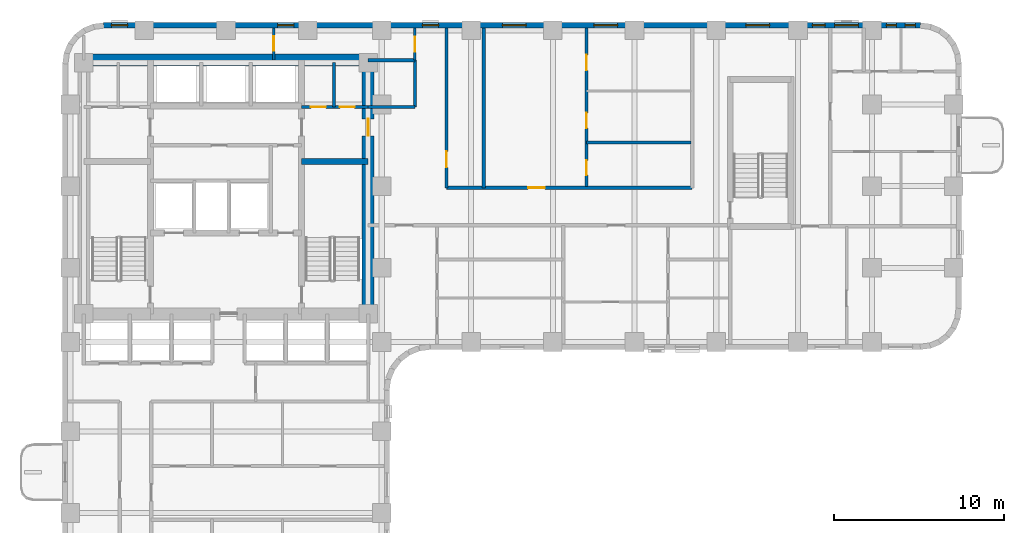
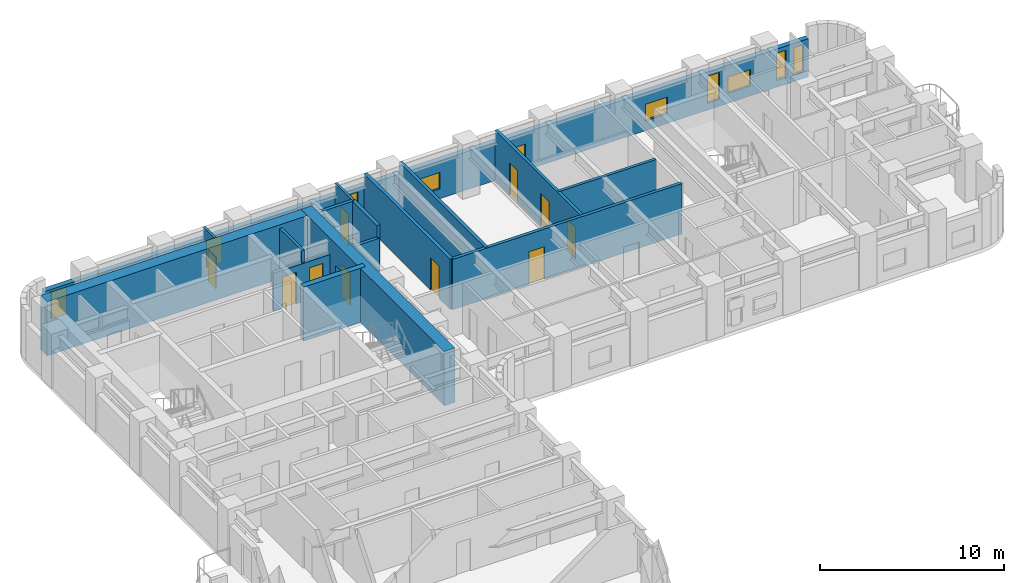
# One storey, part 6 of 10: 16 walls, 10 doors, 10 windows, 20 openings.
"""IFC4 building model written with IfcOpenShell, lengths in metres."""

import ifcopenshell
import ifcopenshell.guid

model = None  # the IFC model being written
_history = None  # IfcOwnerHistory: only IFC2X3 demands one
_inside = {}  # id of a spatial element -> (the spatial element, [elements in it])
_under = {}  # id of a project, library or spatial element -> (it, [spatial elements below it])
_declared = {}  # id of a project -> (the project, [libraries it declares])
_typed = {}  # id of a type object -> (the type object, [elements of that type])
_made_of = {}  # id of a material, layer set ... -> (it, [elements and type objects made of it])


def new_model(schema):
    """Start an empty IFC model of exactly this schema.

    Asked for "IFC4X3", IfcOpenShell would pick the latest addendum, in which some entities
    have other attributes; the version numbers below select the first issue.
    IFC2X3 requires an IfcOwnerHistory on every rooted entity: one is made here for all.
    """
    global model, _history
    if schema == "IFC4X3":
        model = ifcopenshell.file(schema_version=(4, 3, 0, 0))
    else:
        model = ifcopenshell.file(schema=schema)
    _inside.clear()
    _under.clear()
    _declared.clear()
    _typed.clear()
    _made_of.clear()
    _history = None
    if model.schema == "IFC2X3":
        org = make("IfcOrganization", Name="unknown")
        user = make(
            "IfcPersonAndOrganization",
            ThePerson=make("IfcPerson", FamilyName="unknown"),
            TheOrganization=org,
        )
        app = make(
            "IfcApplication",
            ApplicationDeveloper=org,
            Version="unknown",
            ApplicationFullName="unknown",
            ApplicationIdentifier="unknown",
        )
        _history = make(
            "IfcOwnerHistory",
            OwningUser=user,
            OwningApplication=app,
            ChangeAction="ADDED",
            CreationDate=0,
        )
    return model


def make(cls, **values):
    """One entity of the class cls with the attributes given. An attribute that is None is left unset."""
    return model.create_entity(
        cls, **{name: value for name, value in values.items() if value is not None}
    )


def rooted(cls, **values):
    """An entity with a GlobalId (a new one), such as an element, a storey or a relation."""
    return make(cls, GlobalId=ifcopenshell.guid.new(), OwnerHistory=_history, **values)


def si_unit(unit_type, name, prefix=None):
    """IfcSIUnit, for example si_unit("LENGTHUNIT", "METRE", prefix="MILLI")."""
    return make("IfcSIUnit", UnitType=unit_type, Prefix=prefix, Name=name)


def assignment(units):
    """IfcUnitAssignment: the units of a project."""
    return None if units is None else make("IfcUnitAssignment", Units=units)


def point(xyz):
    """IfcCartesianPoint."""
    return None if xyz is None else make("IfcCartesianPoint", Coordinates=xyz)


def direction(xyz):
    """IfcDirection."""
    return None if xyz is None else make("IfcDirection", DirectionRatios=xyz)


def frame(location, z_axis=None, x_axis=None):
    """IfcAxis2Placement3D, a coordinate frame: its origin and axes. An axis left out is left unset."""
    return make(
        "IfcAxis2Placement3D",
        Location=point(location),
        Axis=direction(z_axis),
        RefDirection=direction(x_axis),
    )


def frame_2d(location, x_axis=None):
    """IfcAxis2Placement2D, a coordinate frame in the plane: its origin and x axis."""
    return make(
        "IfcAxis2Placement2D", Location=point(location), RefDirection=direction(x_axis)
    )


def origin():
    """The frame at (0, 0, 0) with its axes left unset."""
    return frame((0.0, 0.0, 0.0))


def place(relative_to, where):
    """IfcLocalPlacement: puts the frame where relative to a parent placement (None: the world)."""
    return make(
        "IfcLocalPlacement", PlacementRelTo=relative_to, RelativePlacement=where
    )


def context(
    kind, dimensions, precision=None, world=None, true_north=None, identifier=None
):
    """IfcGeometricRepresentationContext, for example the 3D "Model" context."""
    return make(
        "IfcGeometricRepresentationContext",
        ContextIdentifier=identifier,
        ContextType=kind,
        CoordinateSpaceDimension=dimensions,
        Precision=precision,
        WorldCoordinateSystem=world,
        TrueNorth=true_north,
    )


def subcontext(parent, identifier, kind, view, scale=None):
    """IfcGeometricRepresentationSubContext, for example "Body" below "Model"."""
    return make(
        "IfcGeometricRepresentationSubContext",
        ContextIdentifier=identifier,
        ContextType=kind,
        ParentContext=parent,
        TargetScale=scale,
        TargetView=view,
    )


def project(units=None, contexts=None):
    """IfcProject with its units and contexts."""
    return rooted(
        "IfcProject",
        Name="project",
        RepresentationContexts=contexts,
        UnitsInContext=assignment(units),
    )


def spatial(cls, under=None, at=None, **own):
    """A site, building, storey or space (cls), placed at a placement, below another one or the project."""
    s = rooted(cls, ObjectPlacement=at, **own)
    if under is not None:
        _under.setdefault(under.id(), (under, []))[1].append(s)
    return s


def profile(cls, at=None, kind="AREA", **sizes):
    """A parametric profile (cls). Its sizes go by their IFC names, for example OverallWidth=200.0."""
    return make(cls, ProfileType=kind, Position=at, **sizes)


def rectangle(**sizes):
    """IfcRectangleProfileDef."""
    return profile("IfcRectangleProfileDef", **sizes)


def extrude(swept, where, along, depth):
    """IfcExtrudedAreaSolid: the profile swept, set in the frame where, extruded along a direction by depth."""
    return make(
        "IfcExtrudedAreaSolid",
        SweptArea=swept,
        Position=where,
        ExtrudedDirection=direction(along),
        Depth=depth,
    )


def shape(context_of_items, identifier, shape_type, items):
    """IfcShapeRepresentation: the items that make up one representation, for example the "Body"."""
    return make(
        "IfcShapeRepresentation",
        ContextOfItems=context_of_items,
        RepresentationIdentifier=identifier,
        RepresentationType=shape_type,
        Items=items,
    )


def material(Name=None, Category=None):
    """IfcMaterial."""
    return make("IfcMaterial", Name=Name, Category=Category)


def layer(
    of_material, thickness, ventilated=None, Name=None, Category=None, Priority=None
):
    """IfcMaterialLayer: one layer of a wall or slab, of a material (None: an air gap)."""
    return make(
        "IfcMaterialLayer",
        Material=of_material,
        LayerThickness=thickness,
        IsVentilated=ventilated,
        Name=Name,
        Category=Category,
        Priority=Priority,
    )


def layer_set(layers, Name=None):
    """IfcMaterialLayerSet."""
    return make("IfcMaterialLayerSet", MaterialLayers=layers, LayerSetName=Name)


def made_of(thing, what):
    """Note that an element or type object is made of a material, layer set ...; save() writes the relation."""
    if what is not None:
        _made_of.setdefault(what.id(), (what, []))[1].append(thing)
    return thing


def type_object(cls, material=None, **own):
    """A type object (cls), such as IfcWallType, which elements share."""
    return made_of(rooted(cls, **own), material)


def element(
    cls,
    number,
    at=None,
    inside=None,
    cuts=None,
    type_object=None,
    material=None,
    context=None,
    identifier="Body",
    shape_type=None,
    held_by="IfcProductDefinitionShape",
    body=None,
    shapes=None,
    **own,
):
    """One element of the class cls, such as IfcWall. Its Tag is "e" and its number.

    at: its placement. inside: the storey or other place that contains it. cuts: it is an
    opening in that element (IfcRelVoidsElement). A single representation is given by context,
    identifier, shape_type and body (its items); several are given by shapes. held_by: the class
    of the entity that holds the representations. save() writes the other relations.
    """
    e = rooted(cls, Tag="e%d" % number, ObjectPlacement=at, **own)
    if body is not None:
        shapes = [shape(context, identifier, shape_type, body)]
    if shapes is not None:
        e.Representation = make(held_by, Representations=shapes)
    if inside is not None:
        _inside.setdefault(inside.id(), (inside, []))[1].append(e)
    if cuts is not None:
        rooted(
            "IfcRelVoidsElement", RelatingBuildingElement=cuts, RelatedOpeningElement=e
        )
    if type_object is not None:
        _typed.setdefault(type_object.id(), (type_object, []))[1].append(e)
    return made_of(e, material)


def fill(opening, filler):
    """IfcRelFillsElement: the door or window that sits in an opening."""
    return rooted(
        "IfcRelFillsElement",
        RelatingOpeningElement=opening,
        RelatedBuildingElement=filler,
    )


def aggregate(whole, parts):
    """IfcRelAggregates: a whole, such as a stair, and the parts it consists of."""
    return rooted("IfcRelAggregates", RelatingObject=whole, RelatedObjects=parts)


def save(model, path):
    """Write the relations noted so far, then the file.

    IfcRelAggregates (storeys below a building ...), IfcRelContainedInSpatialStructure (elements
    in a storey), IfcRelDefinesByType, IfcRelAssociatesMaterial and IfcRelDeclares: one each for
    every whole, place, type object, material and project.
    """
    for whole, parts in _under.values():
        aggregate(whole, parts)
    for where, things in _inside.values():
        rooted(
            "IfcRelContainedInSpatialStructure",
            RelatedElements=things,
            RelatingStructure=where,
        )
    for kind, things in _typed.values():
        rooted("IfcRelDefinesByType", RelatedObjects=things, RelatingType=kind)
    for what, things in _made_of.values():
        rooted("IfcRelAssociatesMaterial", RelatedObjects=things, RelatingMaterial=what)
    for by, libraries in _declared.values():
        rooted("IfcRelDeclares", RelatingContext=by, RelatedDefinitions=libraries)
    model.write(path)


model = new_model("IFC4")

# Units and contexts
model_context = context("Model", 3, precision=1e-05, world=origin(), true_north=direction((0.0, 1.0)))
body_context = subcontext(model_context, "Body", "Model", "MODEL_VIEW")
ifc_project = project(units=[si_unit("LENGTHUNIT", "METRE"), si_unit("AREAUNIT", "SQUARE_METRE"), si_unit("VOLUMEUNIT", "CUBIC_METRE"), si_unit("PLANEANGLEUNIT", "RADIAN"), si_unit("MASSUNIT", "GRAM", prefix="KILO")], contexts=[model_context])

# Site, building, storey
site_placement = place(None, origin())
site = spatial("IfcSite", under=ifc_project, at=site_placement, CompositionType="ELEMENT")
building_placement = place(site_placement, origin())
building = spatial("IfcBuilding", under=site, at=building_placement, Name="Orvandelia Arch Residences", CompositionType="ELEMENT")
storey_placement = place(building_placement, frame((0.0, 0.0, 75.39990234375)))
storey = spatial("IfcBuildingStorey", under=building, at=storey_placement, Name="L19", CompositionType="ELEMENT", Elevation=75.39990234375)

# Wall
ifc_material_1 = material(Name="Concrete C50/60", Category="concrete")
ifc_layer_1 = layer(ifc_material_1, 0.35009765625, Name="Concrete C50/60", Category="concrete")
ifc_layer_set_1 = layer_set([ifc_layer_1], Name="Concrete C50/60")
wall_type_1 = type_object("IfcWallType", Name="WL-CORE-350", PredefinedType="SHEAR", material=ifc_layer_set_1)
wall_1_placement = place(storey_placement, frame((18.840087890625, 39.85009765625, 0.0), z_axis=(0.0, 0.0, 1.0), x_axis=(1.0, 0.0, 0.0)))
element("IfcWall", 1, at=wall_1_placement, inside=storey, type_object=wall_type_1, Name="Core Shear Wall L19-HZ2", PredefinedType="SHEAR", context=body_context, shape_type="SweptSolid", body=[
    extrude(rectangle(XDim=3.909912109375, YDim=0.35009765625, at=frame_2d((1.955078125, 0.0))), origin(), (0.0, 0.0, 1.0), 3.60009765625),
])

# Wall, opening, door
ifc_material_2 = material(Name="Concrete C80/95", Category="concrete")
ifc_layer_2 = layer(ifc_material_2, 0.699951171875, Name="Concrete C80/95", Category="concrete")
ifc_layer_set_2 = layer_set([ifc_layer_2], Name="Concrete C80/95")
wall_type_2 = type_object("IfcWallType", Name="WL-CORE-700", PredefinedType="SHEAR", material=ifc_layer_set_2)
wall_2_placement = place(storey_placement, frame((22.75, 30.550048828125, 0.0), z_axis=(0.0, 0.0, 1.0), x_axis=(0.0, 1.0, 0.0)))
wall_2 = element("IfcWall", 2, at=wall_2_placement, inside=storey, type_object=wall_type_2, Name="Core Shear Wall L19-E", PredefinedType="SHEAR", context=body_context, shape_type="SweptSolid", body=[
    extrude(rectangle(XDim=15.599853515625, YDim=0.699951171875, at=frame_2d((7.7998046875, 0.0))), origin(), (0.0, 0.0, 1.0), 3.60009765625),
])
opening_1_placement = place(wall_2_placement, frame((10.800048828125, 0.0, 0.0)))
opening_1 = element("IfcOpeningElement", 3, at=opening_1_placement, cuts=wall_2, Name="Opening D6", PredefinedType="OPENING", context=body_context, shape_type="SweptSolid", body=[
    extrude(rectangle(XDim=1.0, YDim=2.14990234375, at=frame_2d((0.5, 1.074951171875))), frame((0.0, 0.35986328125, 0.0), z_axis=(0.0, -1.0, 0.0), x_axis=(1.0, 0.0, 0.0)), (0.0, 0.0, 1.0), 0.719970703125),
])
ifc_material_3 = material(Name="Smokeproof Painted Steel Fire Door", Category="steel")
door_type_1 = type_object("IfcDoorType", Name="DR-FD60-1000", OperationType="NOTDEFINED", PredefinedType="DOOR", material=ifc_material_3)
door_1_placement = place(opening_1_placement, origin())
door_1 = element("IfcDoor", 4, at=door_1_placement, inside=storey, type_object=door_type_1, Name="Core East Corridor Link Door L19", OperationType="SINGLE_SWING_LEFT", OverallHeight=2.14990234375, OverallWidth=1.0, PredefinedType="DOOR", context=body_context, shape_type="SweptSolid", body=[
    extrude(rectangle(XDim=1.0, YDim=2.14990234375, at=frame_2d((0.5, 1.074951171875))), frame((0.0, 0.02490234375, 0.0), z_axis=(0.0, -1.0, 0.0), x_axis=(1.0, 0.0, 0.0)), (0.0, 0.0, 1.0), 0.050048828125),
])
fill(opening_1, door_1)

# Walls
wall_3_placement = place(storey_placement, frame((6.050048828125, 45.800048828125, 0.0), z_axis=(0.0, 0.0, 1.0), x_axis=(1.0, 0.0, 0.0)))
element("IfcWall", 5, at=wall_3_placement, inside=storey, type_object=wall_type_2, Name="Core Shear Wall L19-N", PredefinedType="SHEAR", context=body_context, shape_type="SweptSolid", body=[
    extrude(rectangle(XDim=16.699951171875, YDim=0.699951171875, at=frame_2d((8.35009765625, 0.0))), origin(), (0.0, 0.0, 1.0), 3.60009765625),
])
ifc_material_4 = material(Name="Fire-Rated Corridor Partition")
ifc_layer_3 = layer(ifc_material_4, 0.199951171875, Name="Fire-Rated Corridor Partition")
ifc_layer_set_3 = layer_set([ifc_layer_3], Name="Fire-Rated Corridor Partition")
wall_type_3 = type_object("IfcWallType", Name="WL-CORR-200", PredefinedType="PARTITIONING", material=ifc_layer_set_3)
wall_4_placement = place(storey_placement, frame((22.75, 45.800048828125, 0.0), z_axis=(0.0, 0.0, 1.0), x_axis=(1.0, 0.0, 0.0)))
element("IfcWall", 6, at=wall_4_placement, inside=storey, type_object=wall_type_3, Name="Interior Partition Wall WL-L19-NCE-S", PredefinedType="PARTITIONING", context=body_context, shape_type="SweptSolid", body=[
    extrude(rectangle(XDim=2.75, YDim=0.199951171875, at=frame_2d((1.375, 0.0))), origin(), (0.0, 0.0, 1.0), 3.35009765625),
])

# Wall, opening, door
wall_5_placement = place(storey_placement, frame((27.35009765625, 38.300048828125, 0.0), z_axis=(0.0, 0.0, 1.0), x_axis=(1.0, 0.0, 0.0)))
wall_5 = element("IfcWall", 7, at=wall_5_placement, inside=storey, type_object=wall_type_3, Name="Interior Partition Wall WL-L19-EM-N", PredefinedType="PARTITIONING", context=body_context, shape_type="SweptSolid", body=[
    extrude(rectangle(XDim=14.429931640625, YDim=0.199951171875, at=frame_2d((7.21484375, 0.0))), origin(), (0.0, 0.0, 1.0), 3.35009765625),
])
opening_2_placement = place(wall_5_placement, frame((4.803466796875, 0.0, 0.0)))
opening_2 = element("IfcOpeningElement", 8, at=opening_2_placement, cuts=wall_5, Name="Opening D1", PredefinedType="OPENING", context=body_context, shape_type="SweptSolid", body=[
    extrude(rectangle(XDim=0.97998046875, YDim=2.179931640625, at=frame_2d((0.489990234375, 1.08984375))), frame((0.0, 0.10986328125, 0.0), z_axis=(0.0, -1.0, 0.0), x_axis=(1.0, 0.0, 0.0)), (0.0, 0.0, 1.0), 0.219970703125),
])
ifc_material_5 = material(Name="Solid-Core Timber Acoustic Fire Door", Category="wood")
door_type_2 = type_object("IfcDoorType", Name="DR-ENT-980", OperationType="NOTDEFINED", PredefinedType="DOOR", material=ifc_material_5)
door_2_placement = place(opening_2_placement, origin())
door_2 = element("IfcDoor", 9, at=door_2_placement, inside=storey, type_object=door_type_2, Name="Unit L19-06 Entrance Door", OperationType="SINGLE_SWING_RIGHT", OverallHeight=2.179931640625, OverallWidth=0.97998046875, PredefinedType="DOOR", context=body_context, shape_type="SweptSolid", body=[
    extrude(rectangle(XDim=0.97998046875, YDim=2.179931640625, at=frame_2d((0.489990234375, 1.08984375))), frame((0.0, 0.02490234375, 0.0), z_axis=(0.0, -1.0, 0.0), x_axis=(1.0, 0.0, 0.0)), (0.0, 0.0, 1.0), 0.050048828125),
])
fill(opening_2, door_2)

wall_6_placement = place(storey_placement, frame((27.35009765625, 38.300048828125, 0.0), z_axis=(0.0, 0.0, 1.0), x_axis=(0.0, 1.0, 0.0)))
wall_6 = element("IfcWall", 10, at=wall_6_placement, inside=storey, type_object=wall_type_3, Name="Interior Partition Wall WL-L19-EM-NCE", PredefinedType="PARTITIONING", context=body_context, shape_type="SweptSolid", body=[
    extrude(rectangle(XDim=9.3798828125, YDim=0.199951171875, at=frame_2d((4.68994140625, 0.0))), origin(), (0.0, 0.0, 1.0), 3.35009765625),
])
opening_3_placement = place(wall_6_placement, frame((1.199951171875, 0.0, 0.0)))
opening_3 = element("IfcOpeningElement", 11, at=opening_3_placement, cuts=wall_6, Name="Opening D2", PredefinedType="OPENING", context=body_context, shape_type="SweptSolid", body=[
    extrude(rectangle(XDim=0.949951171875, YDim=2.14990234375, at=frame_2d((0.47509765625, 1.074951171875))), frame((0.0, 0.10986328125, 0.0), z_axis=(0.0, -1.0, 0.0), x_axis=(1.0, 0.0, 0.0)), (0.0, 0.0, 1.0), 0.219970703125),
])
ifc_material_6 = material(Name="Solid-Core Timber Interior Fire Door", Category="wood")
door_type_3 = type_object("IfcDoorType", Name="DR-APT-950", OperationType="NOTDEFINED", PredefinedType="DOOR", material=ifc_material_6)
door_3_placement = place(opening_3_placement, origin())
door_3 = element("IfcDoor", 12, at=door_3_placement, inside=storey, type_object=door_type_3, Name="DR-L19-LDY", OperationType="SINGLE_SWING_RIGHT", OverallHeight=2.14990234375, OverallWidth=0.949951171875, PredefinedType="DOOR", context=body_context, shape_type="SweptSolid", body=[
    extrude(rectangle(XDim=0.949951171875, YDim=2.14990234375, at=frame_2d((0.47509765625, 1.074951171875))), frame((0.0, 0.02490234375, 0.0), z_axis=(0.0, -1.0, 0.0), x_axis=(1.0, 0.0, 0.0)), (0.0, 0.0, 1.0), 0.050048828125),
])
fill(opening_3, door_3)

# Walls
wall_7_placement = place(storey_placement, frame((22.75, 43.050048828125, 0.0), z_axis=(0.0, 0.0, 1.0), x_axis=(1.0, 0.0, 0.0)))
element("IfcWall", 13, at=wall_7_placement, inside=storey, type_object=wall_type_3, Name="Interior Partition Wall WL-L19-EM-LS", PredefinedType="PARTITIONING", context=body_context, shape_type="SweptSolid", body=[
    extrude(rectangle(XDim=2.75, YDim=0.199951171875, at=frame_2d((1.375, 0.0))), origin(), (0.0, 0.0, 1.0), 2.530029296875),
])
wall_8_placement = place(storey_placement, frame((25.5, 43.050048828125, 0.0), z_axis=(0.0, 0.0, 1.0), x_axis=(0.0, 1.0, 0.0)))
element("IfcWall", 14, at=wall_8_placement, inside=storey, type_object=wall_type_3, Name="Interior Partition Wall WL-L19-EM-LW2", PredefinedType="PARTITIONING", context=body_context, shape_type="SweptSolid", body=[
    extrude(rectangle(XDim=2.75, YDim=0.199951171875, at=frame_2d((1.375, 0.0))), origin(), (0.0, 0.0, 1.0), 3.35009765625),
])
ifc_material_7 = material(Name="Concrete C40/50", Category="concrete")
ifc_layer_4 = layer(ifc_material_7, 0.199951171875, Name="Concrete C40/50", Category="concrete")
ifc_layer_set_4 = layer_set([ifc_layer_4], Name="Concrete C40/50")
wall_type_4 = type_object("IfcWallType", Name="WL-DEM-200", PredefinedType="SOLIDWALL", material=ifc_layer_set_4)
wall_9_placement = place(storey_placement, frame((29.550048828125, 38.300048828125, 0.0), z_axis=(0.0, 0.0, 1.0), x_axis=(0.0, 1.0, 0.0)))
element("IfcWall", 15, at=wall_9_placement, inside=storey, type_object=wall_type_4, Name="Interior Partition Wall WL-L19-EM-LDE", PredefinedType="SOLIDWALL", context=body_context, shape_type="SweptSolid", body=[
    extrude(rectangle(XDim=9.3798828125, YDim=0.199951171875, at=frame_2d((4.68994140625, 0.0))), origin(), (0.0, 0.0, 1.0), 3.35009765625),
])

# Wall, openings, windows
ifc_material_8 = material(Name="Precast concrete C40/50", Category="concrete")
ifc_layer_5 = layer(ifc_material_8, 0.320068359375, Name="Precast concrete C40/50", Category="concrete")
ifc_layer_set_5 = layer_set([ifc_layer_5], Name="Precast concrete C40/50")
wall_type_5 = type_object("IfcWallType", Name="WL-EXT-STONE-320", PredefinedType="STANDARD", material=ifc_layer_set_5)
wall_10_placement = place(storey_placement, frame((7.199951171875, 47.840087890625, 0.0), z_axis=(0.0, 0.0, 1.0), x_axis=(1.0, 0.0, 0.0)))
wall_10 = element("IfcWall", 16, at=wall_10_placement, inside=storey, type_object=wall_type_5, Name="Coral-Limestone Precast Facade Wall L19-007", PredefinedType="STANDARD", context=body_context, shape_type="SweptSolid", body=[
    extrude(rectangle(XDim=48.0, YDim=0.320068359375, at=frame_2d((24.0, 0.0))), origin(), (0.0, 0.0, 1.0), 2.530029296875),
])
opening_4_placement = place(wall_10_placement, frame((28.803466796875, 0.0, 0.64990234375)))
opening_4 = element("IfcOpeningElement", 17, at=opening_4_placement, cuts=wall_10, Name="Opening W10", PredefinedType="OPENING", context=body_context, shape_type="SweptSolid", body=[
    extrude(rectangle(XDim=1.39990234375, YDim=1.10009765625, at=frame_2d((0.699951171875, 0.550048828125))), frame((0.0, 0.169921875, 0.0), z_axis=(0.0, -1.0, 0.0), x_axis=(1.0, 0.0, 0.0)), (0.0, 0.0, 1.0), 0.340087890625),
])
opening_5_placement = place(wall_10_placement, frame((47.093994140625, 0.0, 0.449951171875)))
opening_5 = element("IfcOpeningElement", 18, at=opening_5_placement, cuts=wall_10, Name="Opening W12", PredefinedType="OPENING", context=body_context, shape_type="SweptSolid", body=[
    extrude(rectangle(XDim=0.60009765625, YDim=1.800048828125, at=frame_2d((0.300048828125, 0.89990234375))), frame((0.0, 0.169921875, 0.0), z_axis=(0.0, -1.0, 0.0), x_axis=(1.0, 0.0, 0.0)), (0.0, 0.0, 1.0), 0.340087890625),
])
opening_6_placement = place(wall_10_placement, frame((18.739990234375, 0.0, 0.449951171875)))
opening_6 = element("IfcOpeningElement", 19, at=opening_6_placement, cuts=wall_10, Name="Opening W4", PredefinedType="OPENING", context=body_context, shape_type="SweptSolid", body=[
    extrude(rectangle(XDim=0.949951171875, YDim=1.800048828125, at=frame_2d((0.47509765625, 0.89990234375))), frame((0.0, 0.169921875, 0.0), z_axis=(0.0, -1.0, 0.0), x_axis=(1.0, 0.0, 0.0)), (0.0, 0.0, 1.0), 0.340087890625),
])
opening_7_placement = place(wall_10_placement, frame((41.64990234375, 0.0, 0.449951171875)))
opening_7 = element("IfcOpeningElement", 20, at=opening_7_placement, cuts=wall_10, Name="Opening W11", PredefinedType="OPENING", context=body_context, shape_type="SweptSolid", body=[
    extrude(rectangle(XDim=0.75, YDim=1.800048828125, at=frame_2d((0.375, 0.89990234375))), frame((0.0, 0.169921875, 0.0), z_axis=(0.0, -1.0, 0.0), x_axis=(1.0, 0.0, 0.0)), (0.0, 0.0, 1.0), 0.340087890625),
])
opening_8_placement = place(wall_10_placement, frame((37.736083984375, 0.0, 0.64990234375)))
opening_8 = element("IfcOpeningElement", 21, at=opening_8_placement, cuts=wall_10, Name="Opening W10", PredefinedType="OPENING", context=body_context, shape_type="SweptSolid", body=[
    extrude(rectangle(XDim=1.39990234375, YDim=1.10009765625, at=frame_2d((0.699951171875, 0.550048828125))), frame((0.0, 0.169921875, 0.0), z_axis=(0.0, -1.0, 0.0), x_axis=(1.0, 0.0, 0.0)), (0.0, 0.0, 1.0), 0.340087890625),
])
opening_9_placement = place(wall_10_placement, frame((0.469970703125, 0.0, 0.449951171875)))
opening_9 = element("IfcOpeningElement", 22, at=opening_9_placement, cuts=wall_10, Name="Opening W4", PredefinedType="OPENING", context=body_context, shape_type="SweptSolid", body=[
    extrude(rectangle(XDim=0.949951171875, YDim=1.800048828125, at=frame_2d((0.47509765625, 0.89990234375))), frame((0.0, 0.169921875, 0.0), z_axis=(0.0, -1.0, 0.0), x_axis=(1.0, 0.0, 0.0)), (0.0, 0.0, 1.0), 0.340087890625),
])
opening_10_placement = place(wall_10_placement, frame((10.239990234375, 0.0, 0.449951171875)))
opening_10 = element("IfcOpeningElement", 23, at=opening_10_placement, cuts=wall_10, Name="Opening W4", PredefinedType="OPENING", context=body_context, shape_type="SweptSolid", body=[
    extrude(rectangle(XDim=0.949951171875, YDim=1.800048828125, at=frame_2d((0.47509765625, 0.89990234375))), frame((0.0, 0.169921875, 0.0), z_axis=(0.0, -1.0, 0.0), x_axis=(1.0, 0.0, 0.0)), (0.0, 0.0, 1.0), 0.340087890625),
])
opening_11_placement = place(wall_10_placement, frame((23.429931640625, 0.0, 0.64990234375)))
opening_11 = element("IfcOpeningElement", 24, at=opening_11_placement, cuts=wall_10, Name="Opening W10", PredefinedType="OPENING", context=body_context, shape_type="SweptSolid", body=[
    extrude(rectangle(XDim=1.39990234375, YDim=1.10009765625, at=frame_2d((0.699951171875, 0.550048828125))), frame((0.0, 0.169921875, 0.0), z_axis=(0.0, -1.0, 0.0), x_axis=(1.0, 0.0, 0.0)), (0.0, 0.0, 1.0), 0.340087890625),
])
opening_12_placement = place(wall_10_placement, frame((42.949951171875, 0.0, 0.64990234375)))
opening_12 = element("IfcOpeningElement", 25, at=opening_12_placement, cuts=wall_10, Name="Opening W10", PredefinedType="OPENING", context=body_context, shape_type="SweptSolid", body=[
    extrude(rectangle(XDim=1.39990234375, YDim=1.10009765625, at=frame_2d((0.699951171875, 0.550048828125))), frame((0.0, 0.169921875, 0.0), z_axis=(0.0, -1.0, 0.0), x_axis=(1.0, 0.0, 0.0)), (0.0, 0.0, 1.0), 0.340087890625),
])
opening_13_placement = place(wall_10_placement, frame((45.98388671875, 0.0, 0.449951171875)))
opening_13 = element("IfcOpeningElement", 26, at=opening_13_placement, cuts=wall_10, Name="Opening W12", PredefinedType="OPENING", context=body_context, shape_type="SweptSolid", body=[
    extrude(rectangle(XDim=0.60009765625, YDim=1.800048828125, at=frame_2d((0.300048828125, 0.89990234375))), frame((0.0, 0.169921875, 0.0), z_axis=(0.0, -1.0, 0.0), x_axis=(1.0, 0.0, 0.0)), (0.0, 0.0, 1.0), 0.340087890625),
])
ifc_material_9 = material(Name="Tempered Low-E Insulated Glazing", Category="glass")
window_type_1 = type_object("IfcWindowType", Name="WIN-BED-0750x1800", PartitioningType="SINGLE_PANEL", PredefinedType="WINDOW", material=ifc_material_9)
window_1_placement = place(opening_7_placement, origin())
window_1 = element("IfcWindow", 27, at=window_1_placement, inside=storey, type_object=window_type_1, Name="Recessed Punched Window L19-004", OverallHeight=1.800048828125, OverallWidth=0.75, PartitioningType="SINGLE_PANEL", PredefinedType="WINDOW", context=body_context, shape_type="SweptSolid", body=[
    extrude(rectangle(XDim=0.75, YDim=1.800048828125, at=frame_2d((0.375, 0.89990234375))), frame((0.0, 0.030029296875, 0.0), z_axis=(0.0, -1.0, 0.0), x_axis=(1.0, 0.0, 0.0)), (0.0, 0.0, 1.0), 0.06005859375),
])
fill(opening_7, window_1)
window_type_2 = type_object("IfcWindowType", Name="WIN-CLR-1400x1100", PartitioningType="SINGLE_PANEL", PredefinedType="WINDOW", material=ifc_material_9)
window_2_placement = place(opening_4_placement, origin())
window_2 = element("IfcWindow", 28, at=window_2_placement, inside=storey, type_object=window_type_2, Name="Recessed Punched Window L19-001", OverallHeight=1.10009765625, OverallWidth=1.39990234375, PartitioningType="SINGLE_PANEL", PredefinedType="WINDOW", context=body_context, shape_type="SweptSolid", body=[
    extrude(rectangle(XDim=1.39990234375, YDim=1.10009765625, at=frame_2d((0.699951171875, 0.550048828125))), frame((0.0, 0.030029296875, 0.0), z_axis=(0.0, -1.0, 0.0), x_axis=(1.0, 0.0, 0.0)), (0.0, 0.0, 1.0), 0.06005859375),
])
fill(opening_4, window_2)
window_3_placement = place(opening_8_placement, origin())
window_3 = element("IfcWindow", 29, at=window_3_placement, inside=storey, type_object=window_type_2, Name="Recessed Punched Window L19-005", OverallHeight=1.10009765625, OverallWidth=1.39990234375, PartitioningType="SINGLE_PANEL", PredefinedType="WINDOW", context=body_context, shape_type="SweptSolid", body=[
    extrude(rectangle(XDim=1.39990234375, YDim=1.10009765625, at=frame_2d((0.699951171875, 0.550048828125))), frame((0.0, 0.030029296875, 0.0), z_axis=(0.0, -1.0, 0.0), x_axis=(1.0, 0.0, 0.0)), (0.0, 0.0, 1.0), 0.06005859375),
])
fill(opening_8, window_3)
window_4_placement = place(opening_11_placement, origin())
window_4 = element("IfcWindow", 30, at=window_4_placement, inside=storey, type_object=window_type_2, Name="Recessed Punched Window L19-008", OverallHeight=1.10009765625, OverallWidth=1.39990234375, PartitioningType="SINGLE_PANEL", PredefinedType="WINDOW", context=body_context, shape_type="SweptSolid", body=[
    extrude(rectangle(XDim=1.39990234375, YDim=1.10009765625, at=frame_2d((0.699951171875, 0.550048828125))), frame((0.0, 0.030029296875, 0.0), z_axis=(0.0, -1.0, 0.0), x_axis=(1.0, 0.0, 0.0)), (0.0, 0.0, 1.0), 0.06005859375),
])
fill(opening_11, window_4)
window_5_placement = place(opening_12_placement, origin())
window_5 = element("IfcWindow", 31, at=window_5_placement, inside=storey, type_object=window_type_2, Name="Recessed Punched Window L19-009", OverallHeight=1.10009765625, OverallWidth=1.39990234375, PartitioningType="SINGLE_PANEL", PredefinedType="WINDOW", context=body_context, shape_type="SweptSolid", body=[
    extrude(rectangle(XDim=1.39990234375, YDim=1.10009765625, at=frame_2d((0.699951171875, 0.550048828125))), frame((0.0, 0.030029296875, 0.0), z_axis=(0.0, -1.0, 0.0), x_axis=(1.0, 0.0, 0.0)), (0.0, 0.0, 1.0), 0.06005859375),
])
fill(opening_12, window_5)
window_type_3 = type_object("IfcWindowType", Name="WIN-LAN-0600x1800", PartitioningType="SINGLE_PANEL", PredefinedType="WINDOW", material=ifc_material_9)
window_6_placement = place(opening_5_placement, origin())
window_6 = element("IfcWindow", 32, at=window_6_placement, inside=storey, type_object=window_type_3, Name="Recessed Punched Window L19-002", OverallHeight=1.800048828125, OverallWidth=0.60009765625, PartitioningType="SINGLE_PANEL", PredefinedType="WINDOW", context=body_context, shape_type="SweptSolid", body=[
    extrude(rectangle(XDim=0.60009765625, YDim=1.800048828125, at=frame_2d((0.300048828125, 0.89990234375))), frame((0.0, 0.030029296875, 0.0), z_axis=(0.0, -1.0, 0.0), x_axis=(1.0, 0.0, 0.0)), (0.0, 0.0, 1.0), 0.06005859375),
])
fill(opening_5, window_6)
window_7_placement = place(opening_13_placement, origin())
window_7 = element("IfcWindow", 33, at=window_7_placement, inside=storey, type_object=window_type_3, Name="Recessed Punched Window L19-010", OverallHeight=1.800048828125, OverallWidth=0.60009765625, PartitioningType="SINGLE_PANEL", PredefinedType="WINDOW", context=body_context, shape_type="SweptSolid", body=[
    extrude(rectangle(XDim=0.60009765625, YDim=1.800048828125, at=frame_2d((0.300048828125, 0.89990234375))), frame((0.0, 0.030029296875, 0.0), z_axis=(0.0, -1.0, 0.0), x_axis=(1.0, 0.0, 0.0)), (0.0, 0.0, 1.0), 0.06005859375),
])
fill(opening_13, window_7)
window_type_4 = type_object("IfcWindowType", Name="WIN-RES-0950x1800", PartitioningType="SINGLE_PANEL", PredefinedType="WINDOW", material=ifc_material_9)
window_8_placement = place(opening_6_placement, origin())
window_8 = element("IfcWindow", 34, at=window_8_placement, inside=storey, type_object=window_type_4, Name="Recessed Punched Window L19-003", OverallHeight=1.800048828125, OverallWidth=0.949951171875, PartitioningType="SINGLE_PANEL", PredefinedType="WINDOW", context=body_context, shape_type="SweptSolid", body=[
    extrude(rectangle(XDim=0.949951171875, YDim=1.800048828125, at=frame_2d((0.47509765625, 0.89990234375))), frame((0.0, 0.030029296875, 0.0), z_axis=(0.0, -1.0, 0.0), x_axis=(1.0, 0.0, 0.0)), (0.0, 0.0, 1.0), 0.06005859375),
])
fill(opening_6, window_8)
window_9_placement = place(opening_9_placement, origin())
window_9 = element("IfcWindow", 35, at=window_9_placement, inside=storey, type_object=window_type_4, Name="Recessed Punched Window L19-006", OverallHeight=1.800048828125, OverallWidth=0.949951171875, PartitioningType="SINGLE_PANEL", PredefinedType="WINDOW", context=body_context, shape_type="SweptSolid", body=[
    extrude(rectangle(XDim=0.949951171875, YDim=1.800048828125, at=frame_2d((0.47509765625, 0.89990234375))), frame((0.0, 0.030029296875, 0.0), z_axis=(0.0, -1.0, 0.0), x_axis=(1.0, 0.0, 0.0)), (0.0, 0.0, 1.0), 0.06005859375),
])
fill(opening_9, window_9)
window_10_placement = place(opening_10_placement, origin())
window_10 = element("IfcWindow", 36, at=window_10_placement, inside=storey, type_object=window_type_4, Name="Recessed Punched Window L19-007", OverallHeight=1.800048828125, OverallWidth=0.949951171875, PartitioningType="SINGLE_PANEL", PredefinedType="WINDOW", context=body_context, shape_type="SweptSolid", body=[
    extrude(rectangle(XDim=0.949951171875, YDim=1.800048828125, at=frame_2d((0.47509765625, 0.89990234375))), frame((0.0, 0.030029296875, 0.0), z_axis=(0.0, -1.0, 0.0), x_axis=(1.0, 0.0, 0.0)), (0.0, 0.0, 1.0), 0.06005859375),
])
fill(opening_10, window_10)

# Wall, opening, door
ifc_material_10 = material(Name="Acoustic Gypsum Stud Partition")
ifc_layer_6 = layer(ifc_material_10, 0.14990234375, Name="Acoustic Gypsum Stud Partition")
ifc_layer_set_6 = layer_set([ifc_layer_6], Name="Acoustic Gypsum Stud Partition")
wall_type_6 = type_object("IfcWallType", Name="WL-PART-150", PredefinedType="PARTITIONING", material=ifc_layer_set_6)
wall_11_placement = place(storey_placement, frame((25.5, 45.800048828125, 0.0), z_axis=(0.0, 0.0, 1.0), x_axis=(0.0, 1.0, 0.0)))
wall_11 = element("IfcWall", 37, at=wall_11_placement, inside=storey, type_object=wall_type_6, Name="Interior Partition Wall WL-L19-NCE-W", PredefinedType="PARTITIONING", context=body_context, shape_type="SweptSolid", body=[
    extrude(rectangle(XDim=1.8798828125, YDim=0.14990234375, at=frame_2d((0.93994140625, 0.0))), origin(), (0.0, 0.0, 1.0), 3.35009765625),
])
opening_14_placement = place(wall_11_placement, frame((0.5, 0.0, 0.0)))
opening_14 = element("IfcOpeningElement", 38, at=opening_14_placement, cuts=wall_11, Name="Opening D5", PredefinedType="OPENING", context=body_context, shape_type="SweptSolid", body=[
    extrude(rectangle(XDim=0.8798828125, YDim=2.10009765625, at=frame_2d((0.43994140625, 1.050048828125))), frame((0.0, 0.0849609375, 0.0), z_axis=(0.0, -1.0, 0.0), x_axis=(1.0, 0.0, 0.0)), (0.0, 0.0, 1.0), 0.169921875),
])
ifc_material_11 = material(Name="Painted Galvanised Steel Service Door", Category="steel")
door_type_4 = type_object("IfcDoorType", Name="DR-SRV-880", OperationType="NOTDEFINED", PredefinedType="DOOR", material=ifc_material_11)
door_4_placement = place(opening_14_placement, origin())
door_4 = element("IfcDoor", 39, at=door_4_placement, inside=storey, type_object=door_type_4, Name="DR-L19-NCS2", OperationType="SINGLE_SWING_LEFT", OverallHeight=2.10009765625, OverallWidth=0.8798828125, PredefinedType="DOOR", context=body_context, shape_type="SweptSolid", body=[
    extrude(rectangle(XDim=0.8798828125, YDim=2.10009765625, at=frame_2d((0.43994140625, 1.050048828125))), frame((0.0, 0.02490234375, 0.0), z_axis=(0.0, -1.0, 0.0), x_axis=(1.0, 0.0, 0.0)), (0.0, 0.0, 1.0), 0.050048828125),
])
fill(opening_14, door_4)

wall_12_placement = place(storey_placement, frame((17.199951171875, 45.800048828125, 0.0), z_axis=(0.0, 0.0, 1.0), x_axis=(0.0, 1.0, 0.0)))
wall_12 = element("IfcWall", 40, at=wall_12_placement, inside=storey, type_object=wall_type_6, Name="Interior Partition Wall WL-L19-NC-M", PredefinedType="PARTITIONING", context=body_context, shape_type="SweptSolid", body=[
    extrude(rectangle(XDim=1.8798828125, YDim=0.14990234375, at=frame_2d((0.93994140625, 0.0))), origin(), (0.0, 0.0, 1.0), 3.35009765625),
])
opening_15_placement = place(wall_12_placement, frame((0.550048828125, 0.0, 0.0)))
opening_15 = element("IfcOpeningElement", 41, at=opening_15_placement, cuts=wall_12, Name="Opening D4", PredefinedType="OPENING", context=body_context, shape_type="SweptSolid", body=[
    extrude(rectangle(XDim=0.860107421875, YDim=2.10009765625, at=frame_2d((0.43017578125, 1.050048828125))), frame((0.0, 0.0849609375, 0.0), z_axis=(0.0, -1.0, 0.0), x_axis=(1.0, 0.0, 0.0)), (0.0, 0.0, 1.0), 0.169921875),
])
ifc_material_12 = material(Name="Moisture-Sealed Timber Bathroom Door", Category="wood")
door_type_5 = type_object("IfcDoorType", Name="DR-WET-900", OperationType="NOTDEFINED", PredefinedType="DOOR", material=ifc_material_12)
door_5_placement = place(opening_15_placement, origin())
door_5 = element("IfcDoor", 42, at=door_5_placement, inside=storey, type_object=door_type_5, Name="DR-L19-NCS1", OperationType="SINGLE_SWING_LEFT", OverallHeight=2.10009765625, OverallWidth=0.860107421875, PredefinedType="DOOR", context=body_context, shape_type="SweptSolid", body=[
    extrude(rectangle(XDim=0.860107421875, YDim=2.10009765625, at=frame_2d((0.43017578125, 1.050048828125))), frame((0.0, 0.02490234375, 0.0), z_axis=(0.0, -1.0, 0.0), x_axis=(1.0, 0.0, 0.0)), (0.0, 0.0, 1.0), 0.050048828125),
])
fill(opening_15, door_5)

# Wall, openings, doors
ifc_material_13 = material(Name="Fire-Rated Shaft Enclosure Wall")
ifc_layer_7 = layer(ifc_material_13, 0.199951171875, Name="Fire-Rated Shaft Enclosure Wall")
ifc_layer_set_7 = layer_set([ifc_layer_7], Name="Fire-Rated Shaft Enclosure Wall")
wall_type_7 = type_object("IfcWallType", Name="WL-SHAFT-200", PredefinedType="POLYGONAL", material=ifc_layer_set_7)
wall_13_placement = place(storey_placement, frame((18.840087890625, 43.050048828125, 0.0), z_axis=(0.0, 0.0, 1.0), x_axis=(1.0, 0.0, 0.0)))
wall_13 = element("IfcWall", 43, at=wall_13_placement, inside=storey, type_object=wall_type_7, Name="Interior Partition Wall WL-L19-HLE-N", PredefinedType="POLYGONAL", context=body_context, shape_type="SweptSolid", body=[
    extrude(rectangle(XDim=3.909912109375, YDim=0.199951171875, at=frame_2d((1.955078125, 0.0))), origin(), (0.0, 0.0, 1.0), 2.530029296875),
])
opening_16_placement = place(wall_13_placement, frame((0.550048828125, 0.0, 0.0)))
opening_16 = element("IfcOpeningElement", 44, at=opening_16_placement, cuts=wall_13, Name="Opening D5", PredefinedType="OPENING", context=body_context, shape_type="SweptSolid", body=[
    extrude(rectangle(XDim=0.8798828125, YDim=2.10009765625, at=frame_2d((0.43994140625, 1.050048828125))), frame((0.0, 0.10986328125, 0.0), z_axis=(0.0, -1.0, 0.0), x_axis=(1.0, 0.0, 0.0)), (0.0, 0.0, 1.0), 0.219970703125),
])
opening_17_placement = place(wall_13_placement, frame((2.25, 0.0, 0.0)))
opening_17 = element("IfcOpeningElement", 45, at=opening_17_placement, cuts=wall_13, Name="Opening D4", PredefinedType="OPENING", context=body_context, shape_type="SweptSolid", body=[
    extrude(rectangle(XDim=0.860107421875, YDim=2.10009765625, at=frame_2d((0.43017578125, 1.050048828125))), frame((0.0, 0.10986328125, 0.0), z_axis=(0.0, -1.0, 0.0), x_axis=(1.0, 0.0, 0.0)), (0.0, 0.0, 1.0), 0.219970703125),
])
door_6_placement = place(opening_16_placement, origin())
door_6 = element("IfcDoor", 46, at=door_6_placement, inside=storey, type_object=door_type_4, Name="DR-L19-CSB1", OperationType="SINGLE_SWING_LEFT", OverallHeight=2.10009765625, OverallWidth=0.8798828125, PredefinedType="DOOR", context=body_context, shape_type="SweptSolid", body=[
    extrude(rectangle(XDim=0.8798828125, YDim=2.10009765625, at=frame_2d((0.43994140625, 1.050048828125))), frame((0.0, 0.02490234375, 0.0), z_axis=(0.0, -1.0, 0.0), x_axis=(1.0, 0.0, 0.0)), (0.0, 0.0, 1.0), 0.050048828125),
])
fill(opening_16, door_6)
door_7_placement = place(opening_17_placement, origin())
door_7 = element("IfcDoor", 47, at=door_7_placement, inside=storey, type_object=door_type_5, Name="DR-L19-CSB2", OperationType="SINGLE_SWING_RIGHT", OverallHeight=2.10009765625, OverallWidth=0.860107421875, PredefinedType="DOOR", context=body_context, shape_type="SweptSolid", body=[
    extrude(rectangle(XDim=0.860107421875, YDim=2.10009765625, at=frame_2d((0.43017578125, 1.050048828125))), frame((0.0, 0.02490234375, 0.0), z_axis=(0.0, -1.0, 0.0), x_axis=(1.0, 0.0, 0.0)), (0.0, 0.0, 1.0), 0.050048828125),
])
fill(opening_17, door_7)

# Wall
ifc_material_14 = material(Name="Moisture-Resistant Plumbing Wall")
ifc_layer_8 = layer(ifc_material_14, 0.179931640625, Name="Moisture-Resistant Plumbing Wall")
ifc_layer_set_8 = layer_set([ifc_layer_8], Name="Moisture-Resistant Plumbing Wall")
wall_type_8 = type_object("IfcWallType", Name="WL-WET-180", PredefinedType="PLUMBINGWALL", material=ifc_layer_set_8)
wall_14_placement = place(storey_placement, frame((20.75, 43.050048828125, 0.0), z_axis=(0.0, 0.0, 1.0), x_axis=(0.0, 1.0, 0.0)))
element("IfcWall", 48, at=wall_14_placement, inside=storey, type_object=wall_type_8, Name="Interior Partition Wall WL-L19-CSB-1", PredefinedType="PLUMBINGWALL", context=body_context, shape_type="SweptSolid", body=[
    extrude(rectangle(XDim=2.599853515625, YDim=0.179931640625, at=frame_2d((1.2998046875, 0.0))), origin(), (0.0, 0.0, 1.0), 3.35009765625),
])

# Wall, openings, doors
wall_15_placement = place(storey_placement, frame((35.576904296875, 38.3798828125, 0.0), z_axis=(0.0, 0.0, 1.0), x_axis=(0.0, 1.0, 0.0)))
wall_15 = element("IfcWall", 49, at=wall_15_placement, inside=storey, type_object=wall_type_8, Name="Interior Partition Wall WL-L19-U06-VT", PredefinedType="PLUMBINGWALL", context=body_context, shape_type="SweptSolid", body=[
    extrude(rectangle(XDim=9.300048828125, YDim=0.179931640625, at=frame_2d((4.64990234375, 0.0))), origin(), (0.0, 0.0, 1.0), 3.35009765625),
])
opening_18_placement = place(wall_15_placement, frame((0.66748046875, 0.0, 0.0)))
opening_18 = element("IfcOpeningElement", 50, at=opening_18_placement, cuts=wall_15, Name="Opening D4", PredefinedType="OPENING", context=body_context, shape_type="SweptSolid", body=[
    extrude(rectangle(XDim=0.860107421875, YDim=2.10009765625, at=frame_2d((0.43017578125, 1.050048828125))), frame((0.0, 0.10009765625, 0.0), z_axis=(0.0, -1.0, 0.0), x_axis=(1.0, 0.0, 0.0)), (0.0, 0.0, 1.0), 0.199951171875),
])
opening_19_placement = place(wall_15_placement, frame((3.430419921875, 0.0, 0.0)))
opening_19 = element("IfcOpeningElement", 51, at=opening_19_placement, cuts=wall_15, Name="Opening D3", PredefinedType="OPENING", context=body_context, shape_type="SweptSolid", body=[
    extrude(rectangle(XDim=0.89990234375, YDim=2.14990234375, at=frame_2d((0.449951171875, 1.074951171875))), frame((0.0, 0.10009765625, 0.0), z_axis=(0.0, -1.0, 0.0), x_axis=(1.0, 0.0, 0.0)), (0.0, 0.0, 1.0), 0.199951171875),
])
opening_20_placement = place(wall_15_placement, frame((6.828369140625, 0.0, 0.0)))
opening_20 = element("IfcOpeningElement", 52, at=opening_20_placement, cuts=wall_15, Name="Opening D3", PredefinedType="OPENING", context=body_context, shape_type="SweptSolid", body=[
    extrude(rectangle(XDim=0.89990234375, YDim=2.14990234375, at=frame_2d((0.449951171875, 1.074951171875))), frame((0.0, 0.10009765625, 0.0), z_axis=(0.0, -1.0, 0.0), x_axis=(1.0, 0.0, 0.0)), (0.0, 0.0, 1.0), 0.199951171875),
])
ifc_material_15 = material(Name="Engineered Timber Flush Door", Category="wood")
door_type_6 = type_object("IfcDoorType", Name="DR-INT-900", OperationType="NOTDEFINED", PredefinedType="DOOR", material=ifc_material_15)
door_8_placement = place(opening_19_placement, origin())
door_8 = element("IfcDoor", 53, at=door_8_placement, inside=storey, type_object=door_type_6, Name="DR-L19-U06-KIT", OperationType="SINGLE_SWING_RIGHT", OverallHeight=2.14990234375, OverallWidth=0.89990234375, PredefinedType="DOOR", context=body_context, shape_type="SweptSolid", body=[
    extrude(rectangle(XDim=0.89990234375, YDim=2.14990234375, at=frame_2d((0.449951171875, 1.074951171875))), frame((0.0, 0.02490234375, 0.0), z_axis=(0.0, -1.0, 0.0), x_axis=(1.0, 0.0, 0.0)), (0.0, 0.0, 1.0), 0.050048828125),
])
fill(opening_19, door_8)
door_9_placement = place(opening_20_placement, origin())
door_9 = element("IfcDoor", 54, at=door_9_placement, inside=storey, type_object=door_type_6, Name="DR-L19-U06-BD1", OperationType="SINGLE_SWING_LEFT", OverallHeight=2.14990234375, OverallWidth=0.89990234375, PredefinedType="DOOR", context=body_context, shape_type="SweptSolid", body=[
    extrude(rectangle(XDim=0.89990234375, YDim=2.14990234375, at=frame_2d((0.449951171875, 1.074951171875))), frame((0.0, 0.02490234375, 0.0), z_axis=(0.0, -1.0, 0.0), x_axis=(1.0, 0.0, 0.0)), (0.0, 0.0, 1.0), 0.050048828125),
])
fill(opening_20, door_9)
door_10_placement = place(opening_18_placement, origin())
door_10 = element("IfcDoor", 55, at=door_10_placement, inside=storey, type_object=door_type_5, Name="DR-L19-U06-BTH", OperationType="SINGLE_SWING_LEFT", OverallHeight=2.10009765625, OverallWidth=0.860107421875, PredefinedType="DOOR", context=body_context, shape_type="SweptSolid", body=[
    extrude(rectangle(XDim=0.860107421875, YDim=2.10009765625, at=frame_2d((0.43017578125, 1.050048828125))), frame((0.0, 0.02490234375, 0.0), z_axis=(0.0, -1.0, 0.0), x_axis=(1.0, 0.0, 0.0)), (0.0, 0.0, 1.0), 0.050048828125),
])
fill(opening_18, door_10)

# Wall
wall_16_placement = place(storey_placement, frame((35.576904296875, 40.962890625, 0.0), z_axis=(0.0, 0.0, 1.0), x_axis=(1.0, 0.0, 0.0)))
element("IfcWall", 56, at=wall_16_placement, inside=storey, type_object=wall_type_8, Name="Interior Partition Wall WL-L19-U06-H1", PredefinedType="PLUMBINGWALL", context=body_context, shape_type="SweptSolid", body=[
    extrude(rectangle(XDim=6.123046875, YDim=0.179931640625, at=frame_2d((3.0615234375, 0.0))), origin(), (0.0, 0.0, 1.0), 3.35009765625),
])

save(model, "model.ifc")
